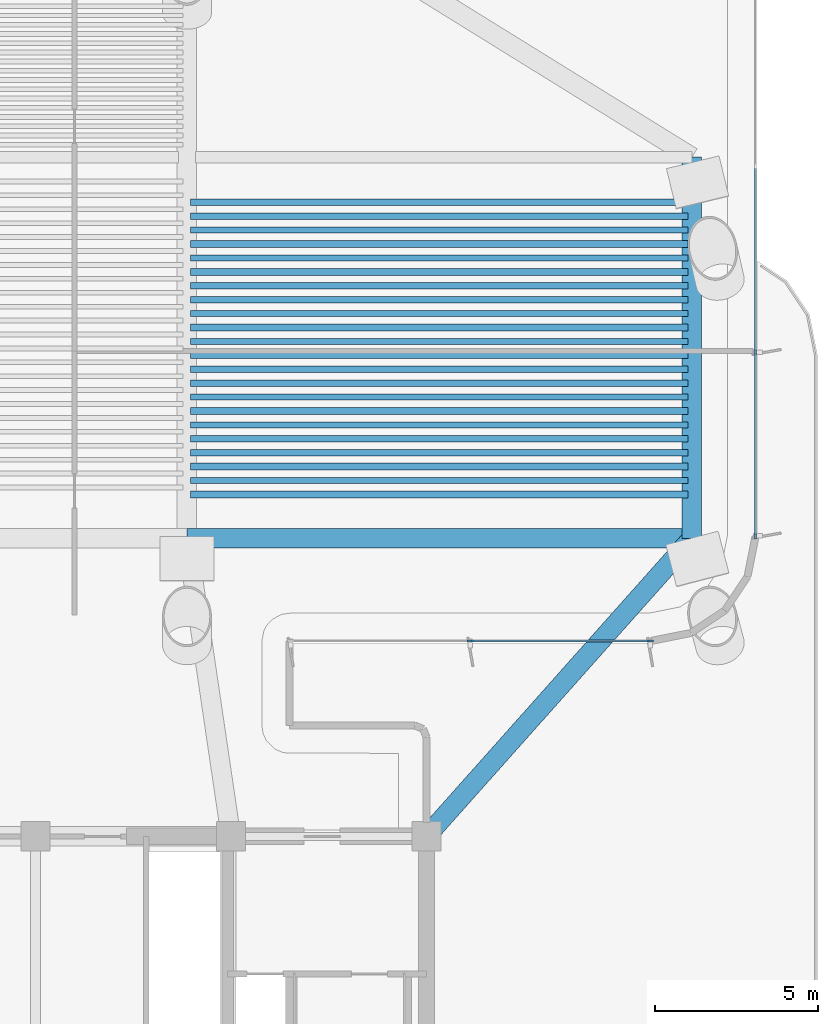
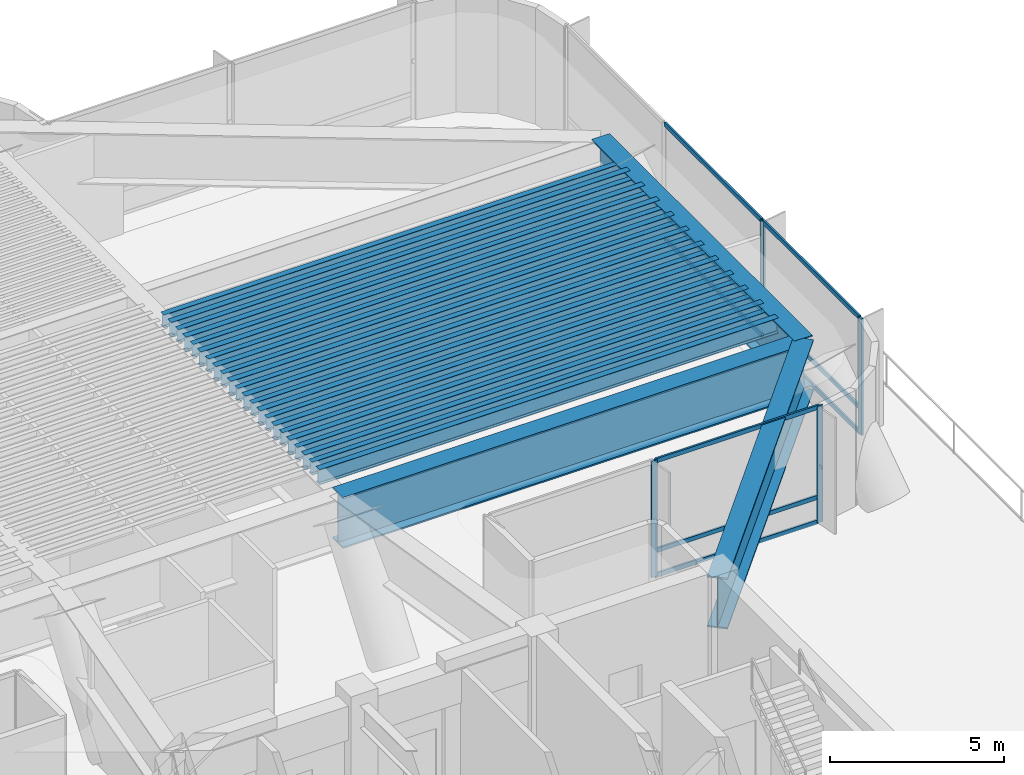
# One storey, part 4 of 14: 25 beams, 13 members, 2 elements without a shape of their own.
"""IFC4 building model written with IfcOpenShell, lengths in metres."""

from ifc_helpers import new_model, si_unit, direction, frame, origin, origin_2d, place, context, subcontext, project, spatial, rectangle, i_section, extrude, source, transform, mapped, material, layer, layer_set, material_profile, profile_set, type_object, element, aggregate, save


model = new_model("IFC4")

# Units and contexts
model_context = context("Model", 3, precision=1e-05, world=origin(), true_north=direction((0.0, 1.0)))
body_context = subcontext(model_context, "Body", "Model", "MODEL_VIEW")
ifc_project = project(units=[si_unit("LENGTHUNIT", "METRE"), si_unit("AREAUNIT", "SQUARE_METRE"), si_unit("VOLUMEUNIT", "CUBIC_METRE"), si_unit("PLANEANGLEUNIT", "RADIAN"), si_unit("MASSUNIT", "GRAM", prefix="KILO")], contexts=[model_context])

# Site, building, storey
site_placement = place(None, origin())
site = spatial("IfcSite", under=ifc_project, at=site_placement, CompositionType="ELEMENT")
building_placement = place(site_placement, origin())
building = spatial("IfcBuilding", under=site, at=building_placement, Name="Brelvock Crest Care Tower", CompositionType="ELEMENT")
storey_placement = place(building_placement, frame((0.0, 0.0, 85.320068359375)))
storey = spatial("IfcBuildingStorey", under=building, at=storey_placement, Name="L21", CompositionType="ELEMENT", Elevation=85.320068359375)

# Beams
ifc_material_1 = material(Name="Steel Grade 350", Category="steel")
ifc_material_profile_1 = material_profile(ifc_material_1, i_section(OverallWidth=0.60009765625, OverallDepth=1.800048828125, WebThickness=0.028076171875, FlangeThickness=0.052001953125, at=origin_2d()), Name="1800TG740")
ifc_profile_set_1 = profile_set([ifc_material_profile_1], Name="Steel Grade 350")
beam_type_1 = type_object("IfcBeamType", Name="BM-TG1", PredefinedType="USERDEFINED", material=ifc_profile_set_1)
shared_shape_1 = source(origin(), body_context, "Body", "SweptSolid", [
    extrude(i_section(OverallWidth=0.60009765625, OverallDepth=1.800048828125, WebThickness=0.028076171875, FlangeThickness=0.052001953125, at=origin_2d()), origin(), (0.0, 0.0, 1.0), 11.7001953125),
])
beam_1_placement = place(storey_placement, frame((56.14990234375, 27.14990234375, 3.19189453125), z_axis=(0.0, 1.0, 0.0), x_axis=(-1.0, 0.0, 0.0)))
element("IfcBeam", 1, at=beam_1_placement, inside=storey, type_object=beam_type_1, Name="BM-TWR-L21-02", ObjectType="GIRDER", PredefinedType="USERDEFINED", context=body_context, shape_type="MappedRepresentation", body=[
    mapped(shared_shape_1, transform((0.0, 0.0, 0.0), x_axis=(1.0, 0.0, 0.0), y_axis=(0.0, 1.0, 0.0), z_axis=(0.0, 0.0, 1.0), scale=1.0)),
])
shared_shape_2 = source(origin(), body_context, "Body", "SweptSolid", [
    extrude(i_section(OverallWidth=0.60009765625, OverallDepth=1.800048828125, WebThickness=0.028076171875, FlangeThickness=0.052001953125, at=origin_2d()), origin(), (0.0, 0.0, 1.0), 15.5),
])
beam_2_placement = place(storey_placement, frame((40.64990234375, 27.14990234375, 3.19189453125), z_axis=(1.0, 0.0, 0.0), x_axis=(0.0, 1.0, 0.0)))
element("IfcBeam", 2, at=beam_2_placement, inside=storey, type_object=beam_type_1, Name="BM-TWR-L21-04", ObjectType="GIRDER", PredefinedType="USERDEFINED", context=body_context, shape_type="MappedRepresentation", body=[
    mapped(shared_shape_2, transform((0.0, 0.0, 0.0), x_axis=(1.0, 0.0, 0.0), y_axis=(0.0, 1.0, 0.0), z_axis=(0.0, 0.0, 1.0), scale=1.0)),
])
shared_shape_3 = source(origin(), body_context, "Body", "SweptSolid", [
    extrude(i_section(OverallWidth=0.60009765625, OverallDepth=1.800048828125, WebThickness=0.028076171875, FlangeThickness=0.052001953125, at=origin_2d()), origin(), (0.0, 0.0, 1.0), 12.253173828125),
])
beam_3_placement = place(storey_placement, frame((48.0, 18.0, 3.19189453125), z_axis=(0.665122829149, 0.746733970129, 0.0), x_axis=(-0.746733970129, 0.665122829149, 0.0)))
element("IfcBeam", 3, at=beam_3_placement, inside=storey, type_object=beam_type_1, Name="BM-THRO-E-L21", ObjectType="GIRDER", PredefinedType="USERDEFINED", context=body_context, shape_type="MappedRepresentation", body=[
    mapped(shared_shape_3, transform((0.0, 0.0, 0.0), x_axis=(1.0, 0.0, 0.0), y_axis=(0.0, 1.0, 0.0), z_axis=(0.0, 0.0, 1.0), scale=1.0)),
])
ifc_material_profile_2 = material_profile(ifc_material_1, i_section(OverallWidth=0.208984375, OverallDepth=0.532958984375, WebThickness=0.01025390625, FlangeThickness=0.015625, FilletRadius=0.013916015625, at=origin_2d()), Name="530UB92.4")
ifc_profile_set_2 = profile_set([ifc_material_profile_2], Name="Steel Grade 350")
beam_type_2 = type_object("IfcBeamType", Name="BM-G2", PredefinedType="BEAM", material=ifc_profile_set_2)
shared_shape_4 = source(origin(), body_context, "Body", "SweptSolid", [
    extrude(i_section(OverallWidth=0.208984375, OverallDepth=0.532958984375, WebThickness=0.01025390625, FlangeThickness=0.015625, FilletRadius=0.013916015625, at=origin_2d()), origin(), (0.0, 0.0, 1.0), 15.27001953125),
])
for number, where, z_axis, x_axis, name in (
    (4, (40.764892578125, 28.49560546875, 3.825439453125), (1.0, 0.0, 0.0), (0.0, 1.0, 0.0), "BM-JE-L21-3"),
    (5, (40.764892578125, 29.349609375, 3.825439453125), (1.0, 0.0, 0.0), (0.0, 1.0, 0.0), "BM-JE-L21-5"),
    (6, (40.764892578125, 30.20361328125, 3.825439453125), (1.0, 0.0, 0.0), (0.0, 1.0, 0.0), "BM-JE-L21-7"),
    (7, (40.764892578125, 31.057861328125, 3.825439453125), (1.0, 0.0, 0.0), (0.0, 1.0, 0.0), "BM-JE-L21-9"),
    (8, (40.764892578125, 31.911865234375, 3.825439453125), (1.0, 0.0, 0.0), (0.0, 1.0, 0.0), "BM-JE-L21-11"),
    (9, (40.764892578125, 32.76611328125, 3.825439453125), (1.0, 0.0, 0.0), (0.0, 1.0, 0.0), "BM-JE-L21-13"),
    (10, (40.764892578125, 33.6201171875, 3.825439453125), (1.0, 0.0, 0.0), (0.0, 1.0, 0.0), "BM-JE-L21-15"),
    (11, (40.764892578125, 34.47412109375, 3.825439453125), (1.0, 0.0, 0.0), (0.0, 1.0, 0.0), "BM-JE-L21-17"),
    (12, (40.764892578125, 35.328369140625, 3.825439453125), (1.0, 0.0, 0.0), (0.0, 1.0, 0.0), "BM-JE-L21-19"),
    (13, (40.764892578125, 36.182373046875, 3.825439453125), (1.0, 0.0, 0.0), (0.0, 1.0, 0.0), "BM-JE-L21-21"),
    (14, (40.764892578125, 37.03662109375, 3.825439453125), (1.0, 0.0, 0.0), (0.0, 1.0, 0.0), "BM-JE-L21-23"),
):
    element("IfcBeam", number, at=place(storey_placement, frame(where, z_axis=z_axis, x_axis=x_axis)), inside=storey, type_object=beam_type_2, Name=name, PredefinedType="BEAM", context=body_context, shape_type="MappedRepresentation", body=[
        mapped(shared_shape_4, transform((0.0, 0.0, 0.0), x_axis=(1.0, 0.0, 0.0), y_axis=(0.0, 1.0, 0.0), z_axis=(0.0, 0.0, 1.0), scale=1.0)),
    ])
ifc_material_profile_3 = material_profile(ifc_material_1, i_section(OverallWidth=0.19091796875, OverallDepth=0.4599609375, WebThickness=0.010009765625, FlangeThickness=0.01611328125, FilletRadius=0.011474609375, at=origin_2d()), Name="460UB82.1")
ifc_profile_set_3 = profile_set([ifc_material_profile_3], Name="Steel Grade 350")
beam_type_3 = type_object("IfcBeamType", Name="BM-G3", PredefinedType="BEAM", material=ifc_profile_set_3)
shared_shape_5 = source(origin(), body_context, "Body", "SweptSolid", [
    extrude(i_section(OverallWidth=0.19091796875, OverallDepth=0.4599609375, WebThickness=0.010009765625, FlangeThickness=0.01611328125, FilletRadius=0.011474609375, at=origin_2d()), origin(), (0.0, 0.0, 1.0), 15.27001953125),
])
for number, where, z_axis, x_axis, name in (
    (15, (40.764892578125, 28.922607421875, 3.86181640625), (1.0, 0.0, 0.0), (0.0, 1.0, 0.0), "BM-JE-L21-4"),
    (16, (40.764892578125, 29.776611328125, 3.86181640625), (1.0, 0.0, 0.0), (0.0, 1.0, 0.0), "BM-JE-L21-6"),
    (17, (40.764892578125, 30.630615234375, 3.86181640625), (1.0, 0.0, 0.0), (0.0, 1.0, 0.0), "BM-JE-L21-8"),
    (18, (40.764892578125, 31.48486328125, 3.86181640625), (1.0, 0.0, 0.0), (0.0, 1.0, 0.0), "BM-JE-L21-10"),
    (19, (40.764892578125, 32.3388671875, 3.86181640625), (1.0, 0.0, 0.0), (0.0, 1.0, 0.0), "BM-JE-L21-12"),
    (20, (40.764892578125, 33.193115234375, 3.86181640625), (1.0, 0.0, 0.0), (0.0, 1.0, 0.0), "BM-JE-L21-14"),
    (21, (40.764892578125, 34.047119140625, 3.86181640625), (1.0, 0.0, 0.0), (0.0, 1.0, 0.0), "BM-JE-L21-16"),
    (22, (40.764892578125, 34.901123046875, 3.86181640625), (1.0, 0.0, 0.0), (0.0, 1.0, 0.0), "BM-JE-L21-18"),
    (23, (40.764892578125, 35.75537109375, 3.86181640625), (1.0, 0.0, 0.0), (0.0, 1.0, 0.0), "BM-JE-L21-20"),
    (24, (40.764892578125, 36.609619140625, 3.86181640625), (1.0, 0.0, 0.0), (0.0, 1.0, 0.0), "BM-JE-L21-22"),
    (25, (40.764892578125, 37.46337890625, 3.86181640625), (1.0, 0.0, 0.0), (0.0, 1.0, 0.0), "BM-JE-L21-24"),
):
    element("IfcBeam", number, at=place(storey_placement, frame(where, z_axis=z_axis, x_axis=x_axis)), inside=storey, type_object=beam_type_3, Name=name, PredefinedType="BEAM", context=body_context, shape_type="MappedRepresentation", body=[
        mapped(shared_shape_5, transform((0.0, 0.0, 0.0), x_axis=(1.0, 0.0, 0.0), y_axis=(0.0, 1.0, 0.0), z_axis=(0.0, 0.0, 1.0), scale=1.0)),
    ])

# Curtain wall, members
ifc_material_2 = material(Name="Dark Glass Double Glazed Low-E", Category="glass")
ifc_layer = layer(ifc_material_2, 0.2548828125, Name="CWS-6")
ifc_layer_set = layer_set([ifc_layer], Name="Dark Glass Double Glazed Low-E")
curtain_wall_type = type_object("IfcCurtainWallType", Name="CWS-6", PredefinedType="NOTDEFINED", material=ifc_layer_set)
curtain_wall_1_placement = place(storey_placement, origin())
curtain_wall_1 = element("IfcCurtainWall", 26, at=curtain_wall_1_placement, inside=storey, type_object=curtain_wall_type, Name="L21 Curtain Wall E39", PredefinedType="NOTDEFINED")
ifc_material_3 = material(Name="Aluminium 6063-T6", Category="aluminium")
ifc_material_profile_4 = material_profile(ifc_material_3, rectangle(XDim=0.06494140625, YDim=0.199951171875, at=origin_2d()), Name="ALU65x200")
ifc_profile_set_4 = profile_set([ifc_material_profile_4], Name="Aluminium 6063-T6")
member_type_1 = type_object("IfcMemberType", Name="CWM-1", PredefinedType="MULLION", material=ifc_profile_set_4)
shared_shape_6 = source(origin(), body_context, "Body", "SweptSolid", [
    extrude(rectangle(XDim=0.06494140625, YDim=0.199951171875, at=origin_2d()), origin(), (0.0, 0.0, 1.0), 4.092041015625),
])
member_1_placement = place(storey_placement, frame((58.10009765625, 32.86669921875, 0.0), z_axis=(0.0, 0.0, 1.0), x_axis=(1.0, 0.0, 0.0)))
member_1 = element("IfcMember", 27, at=member_1_placement, type_object=member_type_1, Name="CW-6 mullion 3", PredefinedType="MULLION", context=body_context, shape_type="MappedRepresentation", body=[
    mapped(shared_shape_6, transform((0.0, 0.0, 0.0), x_axis=(1.0, 0.0, 0.0), y_axis=(0.0, 1.0, 0.0), z_axis=(0.0, 0.0, 1.0), scale=1.0)),
])
member_2_placement = place(storey_placement, frame((58.10009765625, 27.232421875, 0.0), z_axis=(0.0, 0.0, 1.0), x_axis=(1.0, 0.0, 0.0)))
member_2 = element("IfcMember", 28, at=member_2_placement, type_object=member_type_1, Name="CW-6 mullion 4", PredefinedType="MULLION", context=body_context, shape_type="MappedRepresentation", body=[
    mapped(shared_shape_6, transform((0.0, 0.0, 0.0), x_axis=(1.0, 0.0, 0.0), y_axis=(0.0, 1.0, 0.0), z_axis=(0.0, 0.0, 1.0), scale=1.0)),
])

curtain_wall_2_placement = place(storey_placement, origin())
curtain_wall_2 = element("IfcCurtainWall", 29, at=curtain_wall_2_placement, inside=storey, type_object=curtain_wall_type, Name="L21 Curtain Wall E44", PredefinedType="NOTDEFINED")
member_3_placement = place(storey_placement, frame((54.867431640625, 24.0, 0.0), z_axis=(0.0, 0.0, 1.0), x_axis=(0.0, -1.0, 0.0)))
member_3 = element("IfcMember", 30, at=member_3_placement, type_object=member_type_1, Name="CW-6 mullion 1", PredefinedType="MULLION", context=body_context, shape_type="MappedRepresentation", body=[
    mapped(shared_shape_6, transform((0.0, 0.0, 0.0), x_axis=(1.0, 0.0, 0.0), y_axis=(0.0, 1.0, 0.0), z_axis=(0.0, 0.0, 1.0), scale=1.0)),
])
member_4_placement = place(storey_placement, frame((49.35009765625, 24.0, 0.0), z_axis=(0.0, 0.0, 1.0), x_axis=(0.0, -1.0, 0.0)))
member_4 = element("IfcMember", 31, at=member_4_placement, type_object=member_type_1, Name="CW-6 mullion 2", PredefinedType="MULLION", context=body_context, shape_type="MappedRepresentation", body=[
    mapped(shared_shape_6, transform((0.0, 0.0, 0.0), x_axis=(1.0, 0.0, 0.0), y_axis=(0.0, 1.0, 0.0), z_axis=(0.0, 0.0, 1.0), scale=1.0)),
])

# Member
ifc_material_profile_5 = material_profile(ifc_material_3, rectangle(XDim=0.06494140625, YDim=0.14990234375, at=origin_2d()), Name="ALU65x150")
ifc_profile_set_5 = profile_set([ifc_material_profile_5], Name="Aluminium 6063-T6")
member_type_2 = type_object("IfcMemberType", Name="CWT-1", PredefinedType="USERDEFINED", material=ifc_profile_set_5)
shared_shape_7 = source(origin(), body_context, "Body", "SweptSolid", [
    extrude(rectangle(XDim=0.06494140625, YDim=0.14990234375, at=origin_2d()), origin(), (0.0, 0.0, 1.0), 5.5693359375),
])
member_5_placement = place(storey_placement, frame((58.10009765625, 32.834228515625, 0.032470703125), z_axis=(0.0, -1.0, 0.0), x_axis=(1.0, 0.0, 0.0)))
member_5 = element("IfcMember", 32, at=member_5_placement, type_object=member_type_2, Name="CW-6 transom 3.1", ObjectType="TRANSOM", PredefinedType="USERDEFINED", context=body_context, shape_type="MappedRepresentation", body=[
    mapped(shared_shape_7, transform((0.0, 0.0, 0.0), x_axis=(1.0, 0.0, 0.0), y_axis=(0.0, 1.0, 0.0), z_axis=(0.0, 0.0, 1.0), scale=1.0)),
])

member_6_placement = place(storey_placement, frame((58.10009765625, 32.834228515625, 0.89990234375), z_axis=(0.0, -1.0, 0.0), x_axis=(1.0, 0.0, 0.0)))
member_6 = element("IfcMember", 33, at=member_6_placement, type_object=member_type_2, Name="CW-6 transom 3.2", ObjectType="TRANSOM", PredefinedType="USERDEFINED", context=body_context, shape_type="MappedRepresentation", body=[
    mapped(shared_shape_7, transform((0.0, 0.0, 0.0), x_axis=(1.0, 0.0, 0.0), y_axis=(0.0, 1.0, 0.0), z_axis=(0.0, 0.0, 1.0), scale=1.0)),
])

member_7_placement = place(storey_placement, frame((58.10009765625, 32.834228515625, 4.059326171875), z_axis=(0.0, -1.0, 0.0), x_axis=(1.0, 0.0, 0.0)))
member_7 = element("IfcMember", 34, at=member_7_placement, type_object=member_type_2, Name="CW-6 transom 3.3", ObjectType="TRANSOM", PredefinedType="USERDEFINED", context=body_context, shape_type="MappedRepresentation", body=[
    mapped(shared_shape_7, transform((0.0, 0.0, 0.0), x_axis=(1.0, 0.0, 0.0), y_axis=(0.0, 1.0, 0.0), z_axis=(0.0, 0.0, 1.0), scale=1.0)),
])

shared_shape_8 = source(origin(), body_context, "Body", "SweptSolid", [
    extrude(rectangle(XDim=0.06494140625, YDim=0.14990234375, at=origin_2d()), origin(), (0.0, 0.0, 1.0), 5.6015625),
])
member_8_placement = place(storey_placement, frame((58.10009765625, 38.500732421875, 0.032470703125), z_axis=(0.0, -1.0, 0.0), x_axis=(1.0, 0.0, 0.0)))
member_8 = element("IfcMember", 35, at=member_8_placement, type_object=member_type_2, Name="CW-6 transom 2.1", ObjectType="TRANSOM", PredefinedType="USERDEFINED", context=body_context, shape_type="MappedRepresentation", body=[
    mapped(shared_shape_8, transform((0.0, 0.0, 0.0), x_axis=(1.0, 0.0, 0.0), y_axis=(0.0, 1.0, 0.0), z_axis=(0.0, 0.0, 1.0), scale=1.0)),
])

member_9_placement = place(storey_placement, frame((58.10009765625, 38.500732421875, 0.89990234375), z_axis=(0.0, -1.0, 0.0), x_axis=(1.0, 0.0, 0.0)))
member_9 = element("IfcMember", 36, at=member_9_placement, type_object=member_type_2, Name="CW-6 transom 2.2", ObjectType="TRANSOM", PredefinedType="USERDEFINED", context=body_context, shape_type="MappedRepresentation", body=[
    mapped(shared_shape_8, transform((0.0, 0.0, 0.0), x_axis=(1.0, 0.0, 0.0), y_axis=(0.0, 1.0, 0.0), z_axis=(0.0, 0.0, 1.0), scale=1.0)),
])

member_10_placement = place(storey_placement, frame((58.10009765625, 38.500732421875, 4.059326171875), z_axis=(0.0, -1.0, 0.0), x_axis=(1.0, 0.0, 0.0)))
member_10 = element("IfcMember", 37, at=member_10_placement, type_object=member_type_2, Name="CW-6 transom 2.3", ObjectType="TRANSOM", PredefinedType="USERDEFINED", context=body_context, shape_type="MappedRepresentation", body=[
    mapped(shared_shape_8, transform((0.0, 0.0, 0.0), x_axis=(1.0, 0.0, 0.0), y_axis=(0.0, 1.0, 0.0), z_axis=(0.0, 0.0, 1.0), scale=1.0)),
])

aggregate(curtain_wall_1, [member_1, member_2, member_8, member_9, member_10, member_5, member_6, member_7])

shared_shape_9 = source(origin(), body_context, "Body", "SweptSolid", [
    extrude(rectangle(XDim=0.06494140625, YDim=0.14990234375, at=origin_2d()), origin(), (0.0, 0.0, 1.0), 5.452392578125),
])
member_11_placement = place(storey_placement, frame((54.8349609375, 24.0, 0.032470703125), z_axis=(-1.0, 0.0, 0.0), x_axis=(0.0, -1.0, 0.0)))
member_11 = element("IfcMember", 38, at=member_11_placement, type_object=member_type_2, Name="CW-6 transom 1.1", ObjectType="TRANSOM", PredefinedType="USERDEFINED", context=body_context, shape_type="MappedRepresentation", body=[
    mapped(shared_shape_9, transform((0.0, 0.0, 0.0), x_axis=(1.0, 0.0, 0.0), y_axis=(0.0, 1.0, 0.0), z_axis=(0.0, 0.0, 1.0), scale=1.0)),
])

member_12_placement = place(storey_placement, frame((54.8349609375, 24.0, 0.89990234375), z_axis=(-1.0, 0.0, 0.0), x_axis=(0.0, -1.0, 0.0)))
member_12 = element("IfcMember", 39, at=member_12_placement, type_object=member_type_2, Name="CW-6 transom 1.2", ObjectType="TRANSOM", PredefinedType="USERDEFINED", context=body_context, shape_type="MappedRepresentation", body=[
    mapped(shared_shape_9, transform((0.0, 0.0, 0.0), x_axis=(1.0, 0.0, 0.0), y_axis=(0.0, 1.0, 0.0), z_axis=(0.0, 0.0, 1.0), scale=1.0)),
])

member_13_placement = place(storey_placement, frame((54.8349609375, 24.0, 4.059326171875), z_axis=(-1.0, 0.0, 0.0), x_axis=(0.0, -1.0, 0.0)))
member_13 = element("IfcMember", 40, at=member_13_placement, type_object=member_type_2, Name="CW-6 transom 1.3", ObjectType="TRANSOM", PredefinedType="USERDEFINED", context=body_context, shape_type="MappedRepresentation", body=[
    mapped(shared_shape_9, transform((0.0, 0.0, 0.0), x_axis=(1.0, 0.0, 0.0), y_axis=(0.0, 1.0, 0.0), z_axis=(0.0, 0.0, 1.0), scale=1.0)),
])

aggregate(curtain_wall_2, [member_3, member_4, member_11, member_12, member_13])

save(model, "model.ifc")
